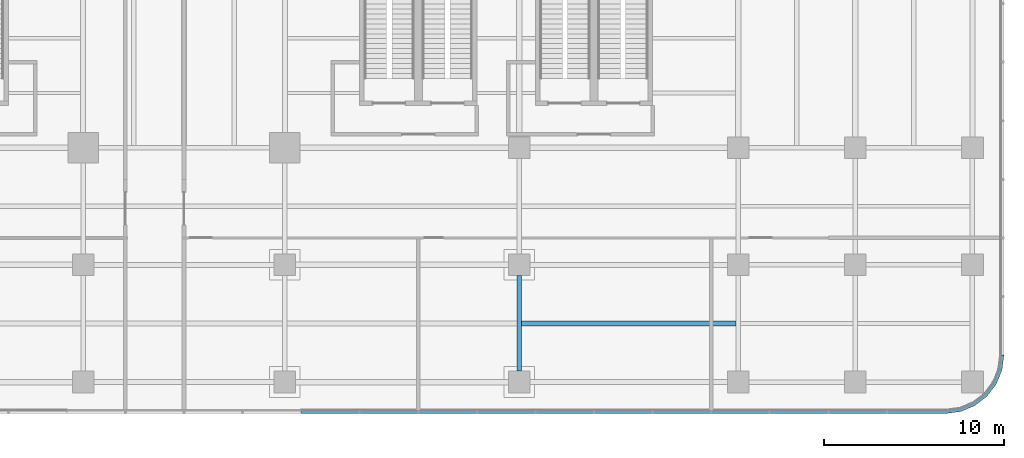
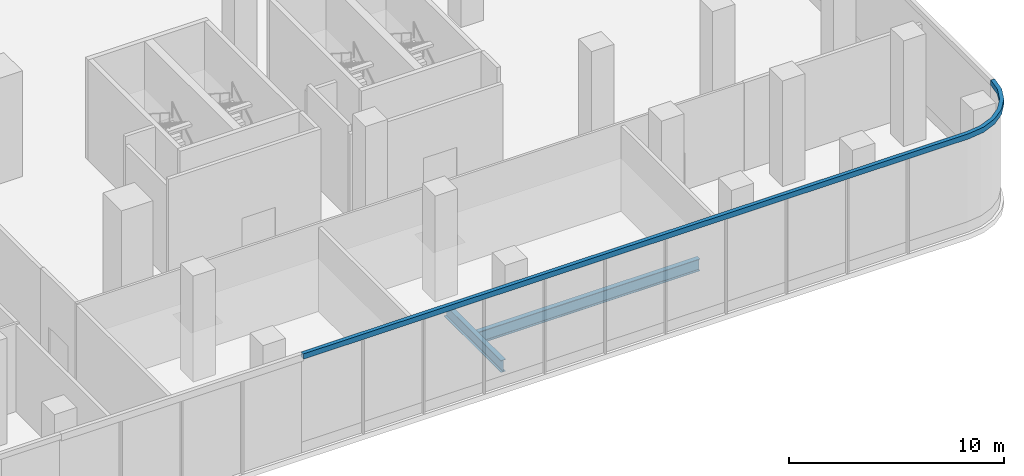
# One storey, part 14 of 41: 2 beams, 1 member, 1 element without a shape of its own.
"""IFC4 building model written with IfcOpenShell, lengths in metres."""

from ifc_helpers import new_model, si_unit, direction, frame, origin, origin_2d, place, context, subcontext, project, spatial, polyline, i_section, outline, extrude, source, transform, mapped, material, layer, layer_set, material_profile, profile_set, type_object, element, aggregate, save


model = new_model("IFC4")

# Units and contexts
model_context = context("Model", 3, precision=1e-05, world=origin(), true_north=direction((0.0, 1.0)))
body_context = subcontext(model_context, "Body", "Model", "MODEL_VIEW")
ifc_project = project(units=[si_unit("LENGTHUNIT", "METRE"), si_unit("AREAUNIT", "SQUARE_METRE"), si_unit("VOLUMEUNIT", "CUBIC_METRE"), si_unit("PLANEANGLEUNIT", "RADIAN"), si_unit("MASSUNIT", "GRAM", prefix="KILO")], contexts=[model_context])

# Site, building, storey
site_placement = place(None, origin())
site = spatial("IfcSite", under=ifc_project, at=site_placement, CompositionType="ELEMENT")
building_placement = place(site_placement, origin())
building = spatial("IfcBuilding", under=site, at=building_placement, Name="Trellis Farm Tower", CompositionType="ELEMENT")
storey_placement = place(building_placement, frame((0.0, 0.0, 8.0)))
storey = spatial("IfcBuildingStorey", under=building, at=storey_placement, Name="L01", CompositionType="ELEMENT", Elevation=8.0)

# Curtain wall, member
ifc_material_1 = material(Name="Aluminium and glass curtain wall", Category="aluminium")
ifc_layer_1 = layer(ifc_material_1, 0.201904296875)
ifc_layer_set_1 = layer_set([ifc_layer_1], Name="SHOPFRONT CURTAIN WALL CW2")
curtain_wall_type = type_object("IfcCurtainWallType", Name="SHOPFRONT CURTAIN WALL CW2", PredefinedType="NOTDEFINED", material=ifc_layer_set_1)
curtain_wall_placement = place(storey_placement, origin())
curtain_wall = element("IfcCurtainWall", 1, at=curtain_wall_placement, inside=storey, type_object=curtain_wall_type, Name="CW2 008", PredefinedType="NOTDEFINED")
ifc_material_2 = material(Name="Aluminium extrusion 6063-T6", Category="aluminium")
ifc_layer_2 = layer(ifc_material_2, 0.205078125)
ifc_layer_set_2 = layer_set([ifc_layer_2], Name="Aluminium extrusion 6063-T6")
member_type = type_object("IfcMemberType", Name="CW2 TRANSOM 205x300", PredefinedType="USERDEFINED", material=ifc_layer_set_2)
member_placement = place(storey_placement, frame((0.0, 0.0, 5.39990234375)))
member = element("IfcMember", 2, at=member_placement, type_object=member_type, Name="TR2 008", ObjectType="TRANSOM", PredefinedType="USERDEFINED", context=body_context, shape_type="SweptSolid", body=[
    extrude(outline(polyline([(6.5, -45.5), (42.25, -45.5), (43.091064453125, -45.38916015625), (43.875, -45.064697265625), (44.548095703125, -44.548095703125), (45.064697265625, -43.875), (45.38916015625, -43.091064453125), (45.5, -42.25), (45.294921875, -42.236572265625), (45.189453125, -43.03759765625), (44.885498046875, -43.771728515625), (44.40185546875, -44.40185546875), (43.771728515625, -44.885498046875), (43.03759765625, -45.189453125), (42.236572265625, -45.294921875), (6.5, -45.294921875), (6.5, -45.5)])), origin(), (0.0, 0.0, 1.0), 0.300048828125),
])
aggregate(curtain_wall, [member])

# Beams
ifc_material_3 = material(Name="Steel S355", Category="steel")
ifc_material_profile_1 = material_profile(ifc_material_3, i_section(OverallWidth=0.253662109375, OverallDepth=0.68359375, WebThickness=0.012451171875, FlangeThickness=0.021728515625, FilletRadius=0.01513671875, at=origin_2d()), Name="UB 686x254x140")
ifc_profile_set_1 = profile_set([ifc_material_profile_1], Name="Steel S355")
beam_type_1 = type_object("IfcBeamType", Name="UB 686x254x140", PredefinedType="BEAM", material=ifc_profile_set_1)
shared_shape_1 = source(origin(), body_context, "Body", "SweptSolid", [
    extrude(i_section(OverallWidth=0.253662109375, OverallDepth=0.68359375, WebThickness=0.012451171875, FlangeThickness=0.021728515625, FilletRadius=0.01513671875, at=origin_2d()), origin(), (0.0, 0.0, 1.0), 5.2998046875),
])
beam_1_placement = place(storey_placement, frame((18.60009765625, -43.14990234375, -0.641845703125), z_axis=(0.0, 1.0, 0.0), x_axis=(-1.0, 0.0, 0.0)))
element("IfcBeam", 3, at=beam_1_placement, inside=storey, type_object=beam_type_1, Name="Girder", PredefinedType="BEAM", context=body_context, shape_type="MappedRepresentation", body=[
    mapped(shared_shape_1, transform((0.0, 0.0, 0.0))),
])
ifc_material_profile_2 = material_profile(ifc_material_3, i_section(OverallWidth=0.253662109375, OverallDepth=0.68359375, WebThickness=0.012451171875, FlangeThickness=0.021728515625, FilletRadius=0.01513671875, at=origin_2d()), Name="UB 686x254x140")
ifc_profile_set_2 = profile_set([ifc_material_profile_2], Name="Steel S355")
beam_type_2 = type_object("IfcBeamType", Name="UB 686x254x140 joist", PredefinedType="JOIST", material=ifc_profile_set_2)
shared_shape_2 = source(origin(), body_context, "Body", "SweptSolid", [
    extrude(i_section(OverallWidth=0.253662109375, OverallDepth=0.68359375, WebThickness=0.012451171875, FlangeThickness=0.021728515625, FilletRadius=0.01513671875, at=origin_2d()), origin(), (0.0, 0.0, 1.0), 11.896240234375),
])
beam_2_placement = place(storey_placement, frame((18.726806640625, -40.5, -0.641845703125), z_axis=(1.0, 0.0, 0.0), x_axis=(0.0, 1.0, 0.0)))
element("IfcBeam", 4, at=beam_2_placement, inside=storey, type_object=beam_type_2, Name="Floor beam", PredefinedType="JOIST", context=body_context, shape_type="MappedRepresentation", body=[
    mapped(shared_shape_2, transform((0.0, 0.0, 0.0))),
])

save(model, "model.ifc")
